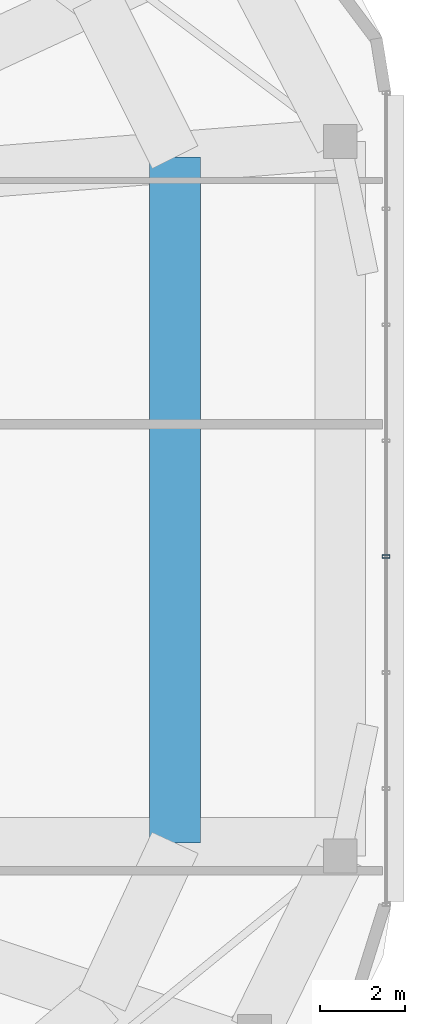
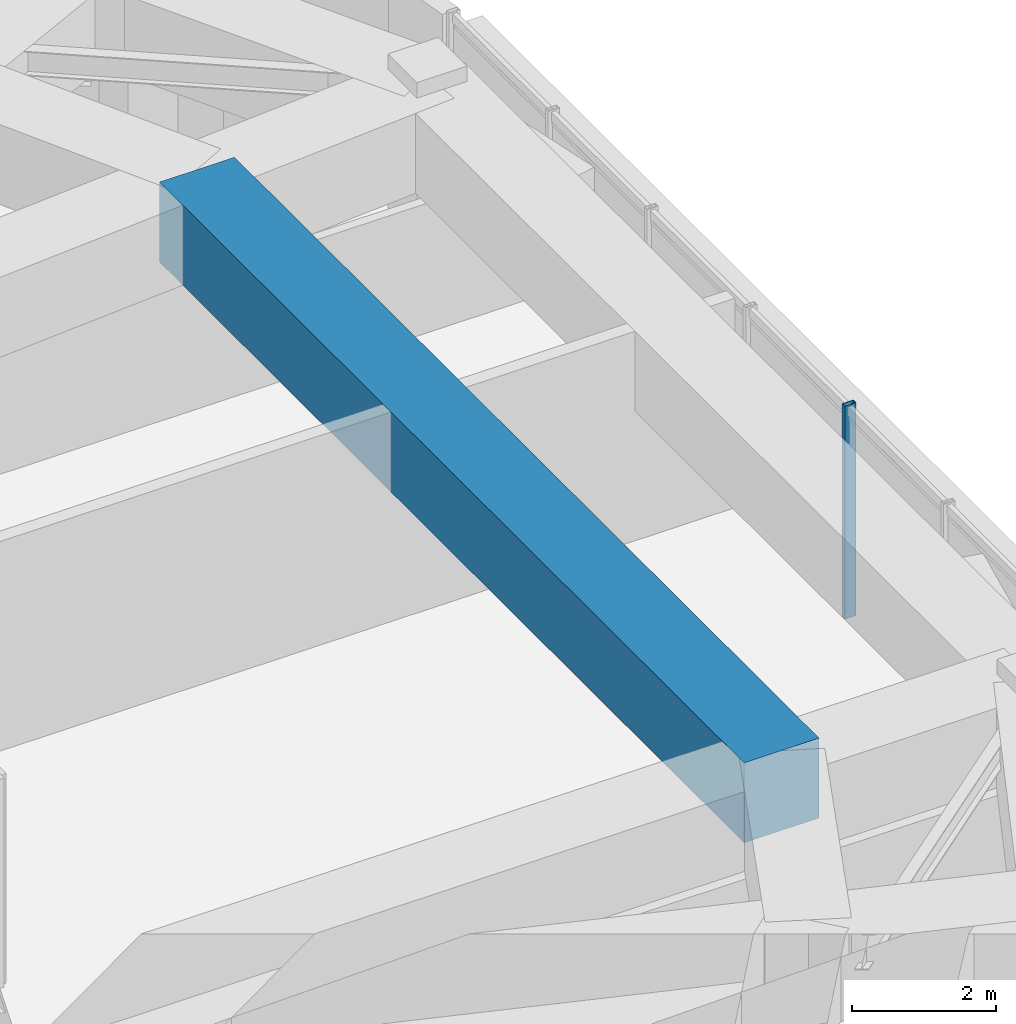
# One storey, part 3 of 15: 1 beam, 1 member, 1 element without a shape of its own.
"""IFC4 building model written with IfcOpenShell, lengths in metres."""

from ifc_helpers import new_model, si_unit, direction, frame, origin, origin_2d, place, context, subcontext, project, spatial, rectangle, hollow_rectangle, extrude, material, material_profile, profile_set, type_object, element, aggregate, save


model = new_model("IFC4")

# Units and contexts
model_context = context("Model", 3, precision=1e-05, world=origin(), true_north=direction((0.0, 1.0)))
body_context = subcontext(model_context, "Body", "Model", "MODEL_VIEW")
ifc_project = project(units=[si_unit("LENGTHUNIT", "METRE"), si_unit("AREAUNIT", "SQUARE_METRE"), si_unit("VOLUMEUNIT", "CUBIC_METRE"), si_unit("PLANEANGLEUNIT", "RADIAN"), si_unit("MASSUNIT", "GRAM", prefix="KILO")], contexts=[model_context])

# Site, building, storey
site_placement = place(None, origin())
site = spatial("IfcSite", under=ifc_project, at=site_placement, CompositionType="ELEMENT")
building_placement = place(site_placement, origin())
building = spatial("IfcBuilding", under=site, at=building_placement, Name="Zulverin Broadcast Headquarters", CompositionType="ELEMENT")
storey_placement = place(building_placement, frame((0.0, 0.0, 270.60009765625)))
storey = spatial("IfcBuildingStorey", under=building, at=storey_placement, Name="L69", CompositionType="ELEMENT", Elevation=270.60009765625)

# Beam
ifc_material_1 = material(Name="Concrete C50/60", Category="concrete")
ifc_material_profile_1 = material_profile(ifc_material_1, rectangle(XDim=1.199951171875, YDim=1.35009765625, at=origin_2d()), Name="Concrete C50/60", Category="concrete")
ifc_profile_set_1 = profile_set([ifc_material_profile_1], Name="Concrete C50/60")
beam_type = type_object("IfcBeamType", Name="BM-TG-CRN-1350", PredefinedType="USERDEFINED", material=ifc_profile_set_1)
beam_placement = place(storey_placement, frame((60.39990234375, 17.713623046875, 2.864990234375), z_axis=(0.0, 1.0, 0.0), x_axis=(-1.0, 0.0, 0.0)))
element("IfcBeam", 1, at=beam_placement, inside=storey, type_object=beam_type, Name="L70 Step Transfer Ring Girder TGR-05", ObjectType="TRANSFER GIRDER", PredefinedType="USERDEFINED", context=body_context, shape_type="SweptSolid", body=[
    extrude(rectangle(XDim=1.199951171875, YDim=1.35009765625, at=origin_2d()), origin(), (0.0, 0.0, 1.0), 16.189453125),
])

# Curtain wall, member
ifc_material_2 = material(Name="High-zone solar-control unitised curtain wall", Category="aluminium")
curtain_wall_type = type_object("IfcCurtainWallType", Name="CW-TWR-UPP", PredefinedType="USERDEFINED", material=ifc_material_2)
curtain_wall_placement = place(storey_placement, origin())
curtain_wall = element("IfcCurtainWall", 2, at=curtain_wall_placement, inside=storey, type_object=curtain_wall_type, Name="L69 Unitised Curtain Wall CW-L69-E3", ObjectType="UNITISED CURTAIN WALL", PredefinedType="USERDEFINED")
ifc_material_3 = material(Name="Anodized pale-metal aluminium alloy 6063-T6", Category="aluminium")
ifc_material_profile_2 = material_profile(ifc_material_3, hollow_rectangle(XDim=0.074951171875, YDim=0.179931640625, WallThickness=0.0048828125, at=origin_2d()), Name="Anodized pale-metal aluminium alloy 6063-T6", Category="aluminium")
ifc_profile_set_2 = profile_set([ifc_material_profile_2], Name="Anodized pale-metal aluminium alloy 6063-T6")
member_type = type_object("IfcMemberType", Name="CW-MUL-180", PredefinedType="MULLION", material=ifc_profile_set_2)
member_placement = place(storey_placement, frame((65.3798828125, 24.47265625, -0.030029296875), z_axis=(0.0, 0.0, 1.0), x_axis=(0.0, 1.0, 0.0)))
member = element("IfcMember", 3, at=member_placement, type_object=member_type, Name="CW-L69-E3 Mullion 03", PredefinedType="MULLION", context=body_context, shape_type="SweptSolid", body=[
    extrude(hollow_rectangle(XDim=0.074951171875, YDim=0.179931640625, WallThickness=0.0048828125, at=origin_2d()), origin(), (0.0, 0.0, 1.0), 3.599853515625),
])
aggregate(curtain_wall, [member])

save(model, "model.ifc")
